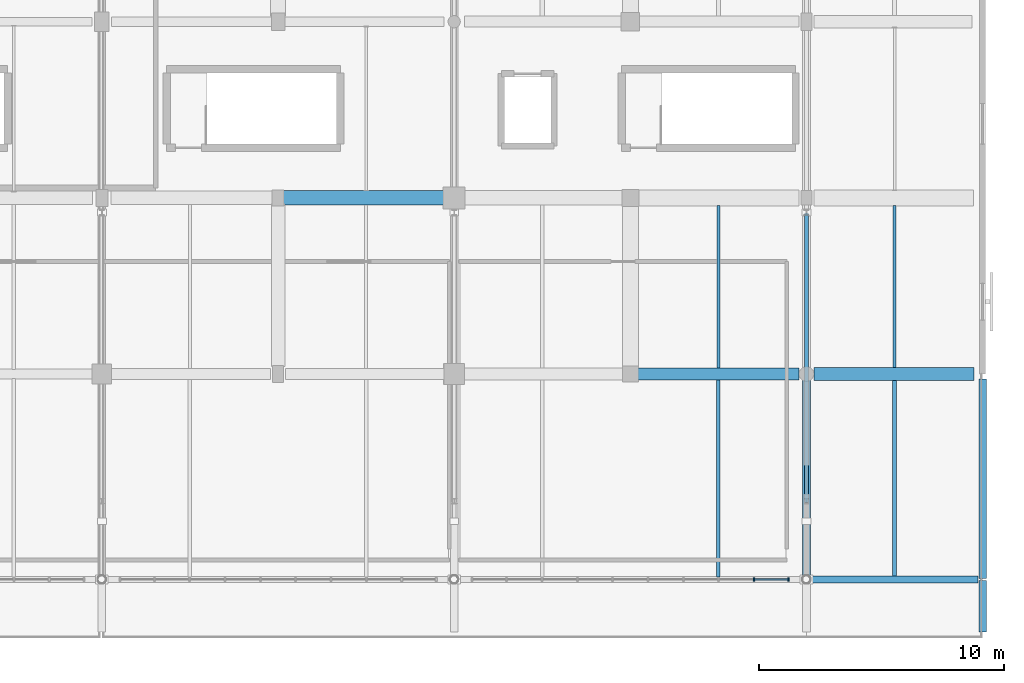
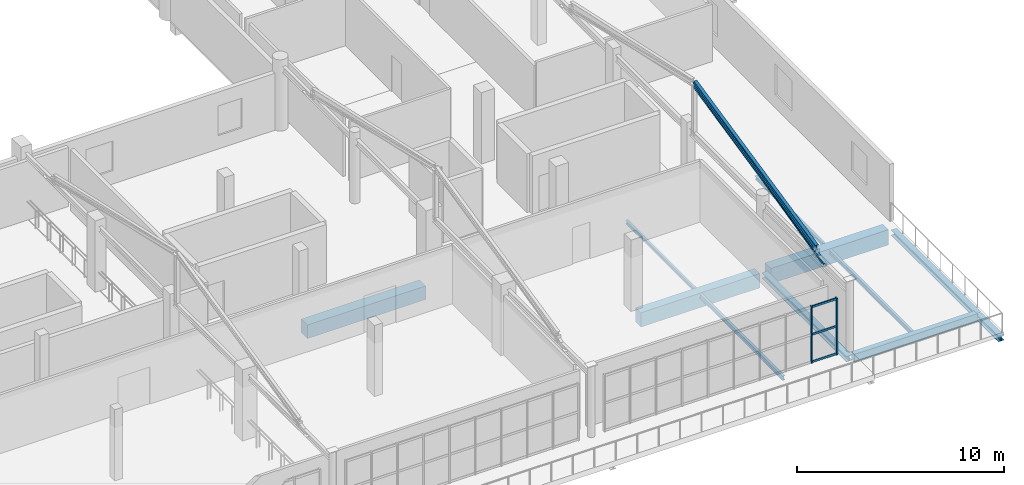
# One storey, part 12 of 41: 12 beams, 6 members, 1 element without a shape of its own.
"""IFC4 building model written with IfcOpenShell, lengths in metres."""

from ifc_helpers import new_model, si_unit, direction, frame, origin, origin_2d, place, context, subcontext, project, spatial, rectangle, hollow_rectangle, i_section, extrude, material, material_profile, profile_set, type_object, element, aggregate, save


model = new_model("IFC4")

# Units and contexts
model_context = context("Model", 3, precision=1e-05, world=origin(), true_north=direction((0.0, 1.0)))
body_context = subcontext(model_context, "Body", "Model", "MODEL_VIEW")
ifc_project = project(units=[si_unit("LENGTHUNIT", "METRE"), si_unit("AREAUNIT", "SQUARE_METRE"), si_unit("VOLUMEUNIT", "CUBIC_METRE"), si_unit("PLANEANGLEUNIT", "RADIAN"), si_unit("MASSUNIT", "GRAM", prefix="KILO")], contexts=[model_context])

# Site, building, storey
site_placement = place(None, origin())
site = spatial("IfcSite", under=ifc_project, at=site_placement, CompositionType="ELEMENT")
building_placement = place(site_placement, origin())
building = spatial("IfcBuilding", under=site, at=building_placement, Name="Solanera Park Tramway Depot", CompositionType="ELEMENT")
storey_placement = place(building_placement, frame((0.0, 0.0, 13.199951171875)))
storey = spatial("IfcBuildingStorey", under=building, at=storey_placement, Name="L03", CompositionType="ELEMENT", Elevation=13.199951171875)

# Curtain wall, members
ifc_material_1 = material(Name="Bronze-anodised thermally broken aluminium curtain wall", Category="aluminium")
curtain_wall_type = type_object("IfcCurtainWallType", Name="Cantilevered OCC Inclined Glazing Wall", PredefinedType="NOTDEFINED", material=ifc_material_1)
curtain_wall_placement = place(storey_placement, origin())
curtain_wall = element("IfcCurtainWall", 1, at=curtain_wall_placement, inside=storey, type_object=curtain_wall_type, Name="L03 Cantilevered OCC Inclined Glazing Wall #125", PredefinedType="NOTDEFINED")
ifc_material_2 = material(Name="Bronze-anodised structural aluminium 6063-T6", Category="aluminium")
ifc_material_profile_1 = material_profile(ifc_material_2, rectangle(XDim=0.06494140625, YDim=0.14990234375, at=origin_2d()), Name="Curtain Wall Mullion 65x150")
ifc_profile_set_1 = profile_set([ifc_material_profile_1], Name="Bronze-anodised structural aluminium 6063-T6")
member_type_1 = type_object("IfcMemberType", Name="Curtain Wall Mullion 65x150", PredefinedType="MULLION", material=ifc_profile_set_1)
member_1_placement = place(storey_placement, frame((177.855712890625, 2.39990234375, 0.0), z_axis=(0.0, 0.0, 1.0), x_axis=(1.0, 0.0, 0.0)))
member_1 = element("IfcMember", 2, at=member_1_placement, type_object=member_type_1, Name="CW-L03-125 Mullion 9", PredefinedType="MULLION", context=body_context, shape_type="SweptSolid", body=[
    extrude(rectangle(XDim=0.06494140625, YDim=0.14990234375, at=origin_2d()), origin(), (0.0, 0.0, 1.0), 3.35009765625),
])
member_2_placement = place(storey_placement, frame((179.267578125, 2.39990234375, 0.0), z_axis=(0.0, 0.0, 1.0), x_axis=(1.0, 0.0, 0.0)))
member_2 = element("IfcMember", 3, at=member_2_placement, type_object=member_type_1, Name="CW-L03-125 Mullion 10", PredefinedType="MULLION", context=body_context, shape_type="SweptSolid", body=[
    extrude(rectangle(XDim=0.06494140625, YDim=0.14990234375, at=origin_2d()), origin(), (0.0, 0.0, 1.0), 3.35009765625),
])
ifc_material_3 = material(Name="Bronze-anodised structural aluminium 6063-T6", Category="aluminium")
ifc_material_profile_2 = material_profile(ifc_material_3, rectangle(XDim=0.06494140625, YDim=0.1201171875, at=origin_2d()), Name="Curtain Wall Transom 65x120")
ifc_profile_set_2 = profile_set([ifc_material_profile_2], Name="Bronze-anodised structural aluminium 6063-T6")
member_type_2 = type_object("IfcMemberType", Name="Curtain Wall Transom 65x120", PredefinedType="USERDEFINED", material=ifc_profile_set_2)
member_3_placement = place(storey_placement, frame((177.883544921875, 2.39990234375, 0.06005859375), z_axis=(1.0, 0.0, 0.0), x_axis=(0.0, 1.0, 0.0)))
member_3 = element("IfcMember", 4, at=member_3_placement, type_object=member_type_2, Name="CW-L03-125 Transom R1.C9", ObjectType="TRANSOM", PredefinedType="USERDEFINED", context=body_context, shape_type="SweptSolid", body=[
    extrude(rectangle(XDim=0.06494140625, YDim=0.1201171875, at=origin_2d()), origin(), (0.0, 0.0, 1.0), 1.35595703125),
])
member_4_placement = place(storey_placement, frame((177.883544921875, 2.39990234375, 1.675048828125), z_axis=(1.0, 0.0, 0.0), x_axis=(0.0, 1.0, 0.0)))
member_4 = element("IfcMember", 5, at=member_4_placement, type_object=member_type_2, Name="CW-L03-125 Transom R2.C9", ObjectType="TRANSOM", PredefinedType="USERDEFINED", context=body_context, shape_type="SweptSolid", body=[
    extrude(rectangle(XDim=0.06494140625, YDim=0.1201171875, at=origin_2d()), origin(), (0.0, 0.0, 1.0), 1.35595703125),
])
member_5_placement = place(storey_placement, frame((177.883544921875, 2.39990234375, 3.2900390625), z_axis=(1.0, 0.0, 0.0), x_axis=(0.0, 1.0, 0.0)))
member_5 = element("IfcMember", 6, at=member_5_placement, type_object=member_type_2, Name="CW-L03-125 Transom R3.C9", ObjectType="TRANSOM", PredefinedType="USERDEFINED", context=body_context, shape_type="SweptSolid", body=[
    extrude(rectangle(XDim=0.06494140625, YDim=0.1201171875, at=origin_2d()), origin(), (0.0, 0.0, 1.0), 1.35595703125),
])
aggregate(curtain_wall, [member_1, member_2, member_3, member_4, member_5])

# Beams
ifc_material_4 = material(Name="Concrete N40 (C40/50)", Category="concrete")
ifc_material_profile_3 = material_profile(ifc_material_4, rectangle(XDim=0.300048828125, YDim=0.449951171875, at=origin_2d()), Name="RCB 300x450")
ifc_profile_set_3 = profile_set([ifc_material_profile_3], Name="Concrete N40 (C40/50)")
beam_type_1 = type_object("IfcBeamType", Name="RC Floor Beam RCB 300x450", PredefinedType="BEAM", material=ifc_profile_set_3)
beam_1_placement = place(storey_placement, frame((180.179931640625, 2.39990234375, -0.458984375), z_axis=(1.0, 0.0, 0.0), x_axis=(0.0, 1.0, 0.0)))
element("IfcBeam", 7, at=beam_1_placement, inside=storey, type_object=beam_type_1, Name="L03 Primary X-Girder RCB 300x450 #0201", PredefinedType="BEAM", context=body_context, shape_type="SweptSolid", body=[
    extrude(rectangle(XDim=0.300048828125, YDim=0.449951171875, at=origin_2d()), origin(), (0.0, 0.0, 1.0), 6.840087890625),
])
ifc_material_5 = material(Name="Concrete N40 (C40/50)", Category="concrete")
ifc_material_profile_4 = material_profile(ifc_material_5, rectangle(XDim=0.5, YDim=0.85009765625, at=origin_2d()), Name="RCB 500x850")
ifc_profile_set_4 = profile_set([ifc_material_profile_4], Name="Concrete N40 (C40/50)")
beam_type_2 = type_object("IfcBeamType", Name="RC Floor Beam RCB 500x850", PredefinedType="BEAM", material=ifc_profile_set_4)
beam_2_placement = place(storey_placement, frame((173.074951171875, 10.800048828125, -0.75390625), z_axis=(1.0, 0.0, 0.0), x_axis=(0.0, 1.0, 0.0)))
element("IfcBeam", 8, at=beam_2_placement, inside=storey, type_object=beam_type_2, Name="L03 Primary X-Girder RCB 500x850 #0211", PredefinedType="BEAM", context=body_context, shape_type="SweptSolid", body=[
    extrude(rectangle(XDim=0.5, YDim=0.85009765625, at=origin_2d()), origin(), (0.0, 0.0, 1.0), 6.625),
])
ifc_material_6 = material(Name="Concrete N40 (C40/50)", Category="concrete")
ifc_material_profile_5 = material_profile(ifc_material_6, rectangle(XDim=0.550048828125, YDim=0.89990234375, at=origin_2d()), Name="RCB 550x900")
ifc_profile_set_5 = profile_set([ifc_material_profile_5], Name="Concrete N40 (C40/50)")
beam_type_3 = type_object("IfcBeamType", Name="RC Floor Beam RCB 550x900", PredefinedType="BEAM", material=ifc_profile_set_5)
beam_3_placement = place(storey_placement, frame((180.300048828125, 10.800048828125, -0.683837890625), z_axis=(1.0, 0.0, 0.0), x_axis=(0.0, 1.0, 0.0)))
element("IfcBeam", 9, at=beam_3_placement, inside=storey, type_object=beam_type_3, Name="L03 Primary X-Girder RCB 550x900 #0212", PredefinedType="BEAM", context=body_context, shape_type="SweptSolid", body=[
    extrude(rectangle(XDim=0.550048828125, YDim=0.89990234375, at=origin_2d()), origin(), (0.0, 0.0, 1.0), 6.550048828125),
])
ifc_material_7 = material(Name="Concrete N40 (C40/50)", Category="concrete")
ifc_material_profile_6 = material_profile(ifc_material_7, rectangle(XDim=0.60009765625, YDim=0.800048828125, at=origin_2d()), Name="RCB 600x800")
ifc_profile_set_6 = profile_set([ifc_material_profile_6], Name="Concrete N40 (C40/50)")
beam_type_4 = type_object("IfcBeamType", Name="RC Floor Beam RCB 600x800", PredefinedType="BEAM", material=ifc_profile_set_6)
beam_4_placement = place(storey_placement, frame((158.625, 18.0, -0.72900390625), z_axis=(1.0, 0.0, 0.0), x_axis=(0.0, 1.0, 0.0)))
element("IfcBeam", 10, at=beam_4_placement, inside=storey, type_object=beam_type_4, Name="L03 Primary X-Girder RCB 600x800 #0220", PredefinedType="BEAM", context=body_context, shape_type="SweptSolid", body=[
    extrude(rectangle(XDim=0.60009765625, YDim=0.800048828125, at=origin_2d()), origin(), (0.0, 0.0, 1.0), 6.60009765625),
])
ifc_material_8 = material(Name="Steel AS/NZS 3679.1 Grade 350", Category="steel")
ifc_material_profile_7 = material_profile(ifc_material_8, i_section(OverallWidth=0.310546875, OverallDepth=0.3271484375, WebThickness=0.015625, FlangeThickness=0.02490234375, at=origin_2d()), Name="310UC158")
ifc_profile_set_7 = profile_set([ifc_material_profile_7], Name="Steel AS/NZS 3679.1 Grade 350")
beam_type_5 = type_object("IfcBeamType", Name="Steel Beam 310UC158", PredefinedType="BEAM", material=ifc_profile_set_7)
beam_5_placement = place(storey_placement, frame((180.0, 2.43994140625, -0.52001953125), z_axis=(0.0, 1.0, 0.0), x_axis=(-1.0, 0.0, 0.0)))
element("IfcBeam", 11, at=beam_5_placement, inside=storey, type_object=beam_type_5, Name="L03 Transfer Truss Overhang Chord 310UC158 #0343", PredefinedType="BEAM", context=body_context, shape_type="SweptSolid", body=[
    extrude(i_section(OverallWidth=0.310546875, OverallDepth=0.3271484375, WebThickness=0.015625, FlangeThickness=0.02490234375, at=origin_2d()), origin(), (0.0, 0.0, 1.0), 8.16015625),
])
beam_6_placement = place(storey_placement, frame((187.199951171875, 0.25, -0.52001953125), z_axis=(0.0, 1.0, 0.0), x_axis=(-1.0, 0.0, 0.0)))
element("IfcBeam", 12, at=beam_6_placement, inside=storey, type_object=beam_type_5, Name="L03 Azotea Upper Nose Cantilever 310UC158 #0352", PredefinedType="BEAM", context=body_context, shape_type="SweptSolid", body=[
    extrude(i_section(OverallWidth=0.310546875, OverallDepth=0.3271484375, WebThickness=0.015625, FlangeThickness=0.02490234375, at=origin_2d()), origin(), (0.0, 0.0, 1.0), 2.110107421875),
])
beam_7_placement = place(storey_placement, frame((187.199951171875, 2.43994140625, -0.52001953125), z_axis=(0.0, 1.0, 0.0), x_axis=(-1.0, 0.0, 0.0)))
element("IfcBeam", 13, at=beam_7_placement, inside=storey, type_object=beam_type_5, Name="L03 Azotea Upper Backspan Girder 310UC158 #0353", PredefinedType="BEAM", context=body_context, shape_type="SweptSolid", body=[
    extrude(i_section(OverallWidth=0.310546875, OverallDepth=0.3271484375, WebThickness=0.015625, FlangeThickness=0.02490234375, at=origin_2d()), origin(), (0.0, 0.0, 1.0), 8.16015625),
])
ifc_material_9 = material(Name="Steel AS/NZS 3679.1 Grade 350", Category="steel")
ifc_material_profile_8 = material_profile(ifc_material_9, i_section(OverallWidth=0.177734375, OverallDepth=0.406494140625, WebThickness=0.0078125, FlangeThickness=0.0126953125, at=origin_2d()), Name="410UB59.7")
ifc_profile_set_8 = profile_set([ifc_material_profile_8], Name="Steel AS/NZS 3679.1 Grade 350")
beam_type_6 = type_object("IfcBeamType", Name="Steel Beam 410UB59.7", PredefinedType="BEAM", material=ifc_profile_set_8)
beam_8_placement = place(storey_placement, frame((180.0, 5.60009765625, 4.063232421875), z_axis=(0.0, 0.976853477736, 0.213909520672), x_axis=(-1.0, 0.0, 0.0)))
element("IfcBeam", 14, at=beam_8_placement, inside=storey, type_object=beam_type_6, Name="L03 Hip ROOF TRUSS Rafter 410UB59.7 #1075", PredefinedType="BEAM", context=body_context, shape_type="SweptSolid", body=[
    extrude(i_section(OverallWidth=0.177734375, OverallDepth=0.406494140625, WebThickness=0.0078125, FlangeThickness=0.0126953125, at=origin_2d()), origin(), (0.0, 0.0, 1.0), 12.01806640625),
])
ifc_material_10 = material(Name="Steel AS/NZS 3679.1 Grade 350", Category="steel")
ifc_material_profile_9 = material_profile(ifc_material_10, i_section(OverallWidth=0.13330078125, OverallDepth=0.203125, WebThickness=0.005859375, FlangeThickness=0.0078125, at=origin_2d()), Name="200UB25.4")
ifc_profile_set_9 = profile_set([ifc_material_profile_9], Name="Steel AS/NZS 3679.1 Grade 350")
beam_type_7 = type_object("IfcBeamType", Name="Steel Joist Purlin 200UB25.4", PredefinedType="JOIST", material=ifc_profile_set_9)
beam_9_placement = place(storey_placement, frame((176.39990234375, 11.0419921875, -0.4306640625), z_axis=(0.0, 1.0, 0.0), x_axis=(-1.0, 0.0, 0.0)))
element("IfcBeam", 15, at=beam_9_placement, inside=storey, type_object=beam_type_7, Name="L03 Secondary Floor Joist 200UB25.4 #0270", PredefinedType="JOIST", context=body_context, shape_type="SweptSolid", body=[
    extrude(i_section(OverallWidth=0.13330078125, OverallDepth=0.203125, WebThickness=0.005859375, FlangeThickness=0.0078125, at=origin_2d()), origin(), (0.0, 0.0, 1.0), 6.64111328125),
])
beam_10_placement = place(storey_placement, frame((183.60009765625, 11.06689453125, -0.33544921875), z_axis=(0.0, 1.0, 0.0), x_axis=(-1.0, 0.0, 0.0)))
element("IfcBeam", 16, at=beam_10_placement, inside=storey, type_object=beam_type_7, Name="L03 Secondary Floor Joist 200UB25.4 #0271", PredefinedType="JOIST", context=body_context, shape_type="SweptSolid", body=[
    extrude(i_section(OverallWidth=0.13330078125, OverallDepth=0.203125, WebThickness=0.005859375, FlangeThickness=0.0078125, at=origin_2d()), origin(), (0.0, 0.0, 1.0), 6.6162109375),
])
ifc_material_11 = material(Name="Steel AS/NZS 3679.1 Grade 350", Category="steel")
ifc_material_profile_10 = material_profile(ifc_material_11, i_section(OverallWidth=0.14599609375, OverallDepth=0.251708984375, WebThickness=0.006103515625, FlangeThickness=0.008544921875, at=origin_2d()), Name="250UB31.4")
ifc_profile_set_10 = profile_set([ifc_material_profile_10], Name="Steel AS/NZS 3679.1 Grade 350")
beam_type_8 = type_object("IfcBeamType", Name="Steel Joist Purlin 250UB31.4", PredefinedType="JOIST", material=ifc_profile_set_10)
beam_11_placement = place(storey_placement, frame((176.39990234375, 2.506591796875, -0.454833984375), z_axis=(0.0, 1.0, 0.0), x_axis=(-1.0, 0.0, 0.0)))
element("IfcBeam", 17, at=beam_11_placement, inside=storey, type_object=beam_type_8, Name="L03 Secondary Floor Joist 250UB31.4 #0259", PredefinedType="JOIST", context=body_context, shape_type="SweptSolid", body=[
    extrude(i_section(OverallWidth=0.14599609375, OverallDepth=0.251708984375, WebThickness=0.006103515625, FlangeThickness=0.008544921875, at=origin_2d()), origin(), (0.0, 0.0, 1.0), 8.051513671875),
])
beam_12_placement = place(storey_placement, frame((183.60009765625, 2.5419921875, -0.35986328125), z_axis=(0.0, 1.0, 0.0), x_axis=(-1.0, 0.0, 0.0)))
element("IfcBeam", 18, at=beam_12_placement, inside=storey, type_object=beam_type_8, Name="L03 Secondary Floor Joist 250UB31.4 #0260", PredefinedType="JOIST", context=body_context, shape_type="SweptSolid", body=[
    extrude(i_section(OverallWidth=0.14599609375, OverallDepth=0.251708984375, WebThickness=0.006103515625, FlangeThickness=0.008544921875, at=origin_2d()), origin(), (0.0, 0.0, 1.0), 7.990966796875),
])

# Member
ifc_material_12 = material(Name="Steel AS/NZS 1163 Grade C350L0", Category="steel")
ifc_material_profile_11 = material_profile(ifc_material_12, hollow_rectangle(XDim=0.14990234375, YDim=0.14990234375, WallThickness=0.006103515625, at=origin_2d()), Name="150x150x6.0 SHS")
ifc_profile_set_11 = profile_set([ifc_material_profile_11], Name="Steel AS/NZS 1163 Grade C350L0")
member_type_3 = type_object("IfcMemberType", Name="Truss and Frame Brace 150x150x6.0 SHS", PredefinedType="BRACE", material=ifc_profile_set_11)
member_6_placement = place(storey_placement, frame((180.0, 4.780029296875, 3.596923828125), z_axis=(0.0, 0.972241309091, 0.233980419901), x_axis=(-1.0, 0.0, 0.0)))
element("IfcMember", 19, at=member_6_placement, inside=storey, type_object=member_type_3, Name="Hip ROOF TRUSS Web #0457", PredefinedType="BRACE", context=body_context, shape_type="SweptSolid", body=[
    extrude(hollow_rectangle(XDim=0.14990234375, YDim=0.14990234375, WallThickness=0.006103515625, at=origin_2d()), origin(), (0.0, 0.0, 1.0), 12.980224609375),
])

save(model, "model.ifc")
